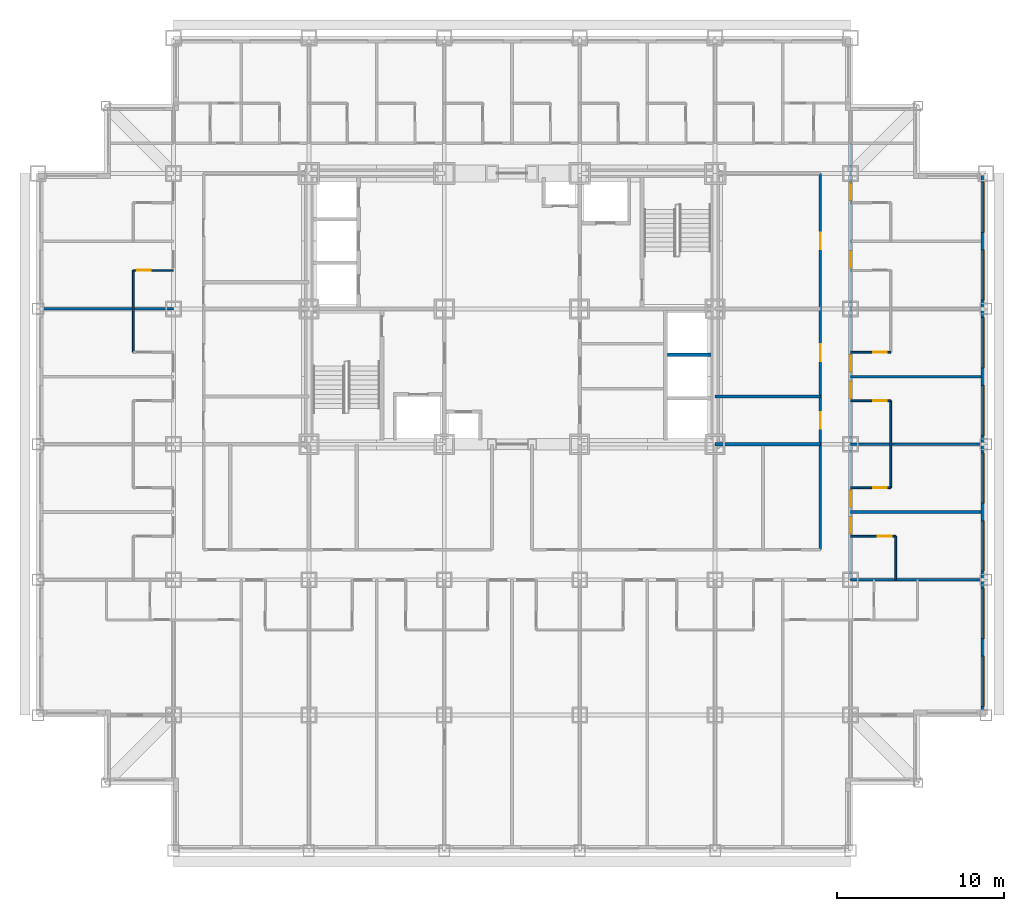
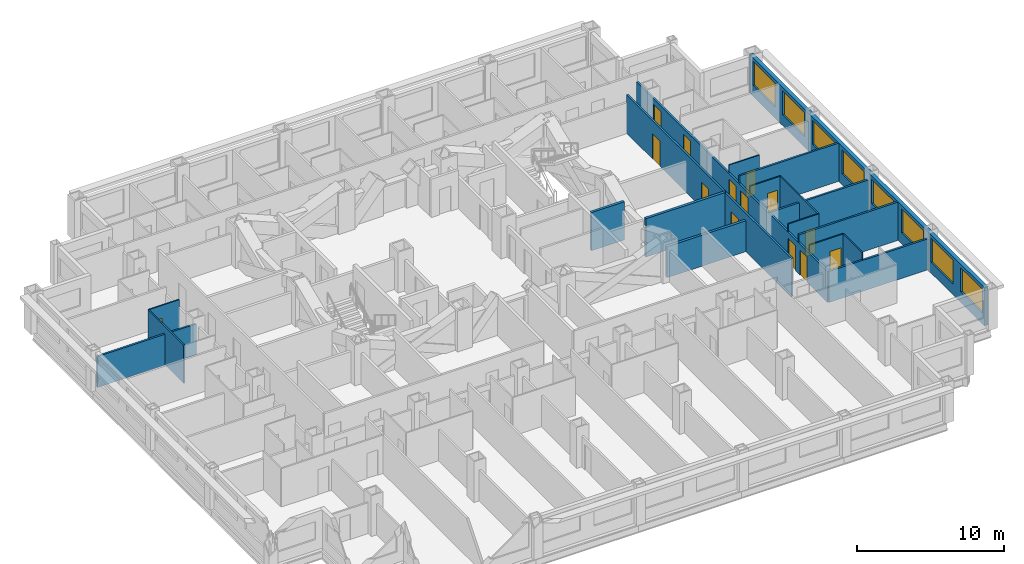
# One storey, part 7 of 12: 19 walls, 14 doors, 8 windows, 22 openings.
"""IFC4 building model written with IfcOpenShell, lengths in metres."""

from ifc_helpers import new_model, si_unit, direction, frame, frame_2d, origin, place, context, subcontext, project, spatial, rectangle, extrude, material, layer, layer_set, type_object, element, fill, save


model = new_model("IFC4")

# Units and contexts
model_context = context("Model", 3, precision=1e-05, world=origin(), true_north=direction((0.0, 1.0)))
body_context = subcontext(model_context, "Body", "Model", "MODEL_VIEW")
ifc_project = project(units=[si_unit("LENGTHUNIT", "METRE"), si_unit("AREAUNIT", "SQUARE_METRE"), si_unit("VOLUMEUNIT", "CUBIC_METRE"), si_unit("PLANEANGLEUNIT", "RADIAN"), si_unit("MASSUNIT", "GRAM", prefix="KILO")], contexts=[model_context])

# Site, building, storey
site_placement = place(None, origin())
site = spatial("IfcSite", under=ifc_project, at=site_placement, CompositionType="ELEMENT")
building_placement = place(site_placement, origin())
building = spatial("IfcBuilding", under=site, at=building_placement, Name="Kopane Lantern Tower", CompositionType="ELEMENT")
storey_placement = place(building_placement, frame((0.0, 0.0, 43.199951171875)))
storey = spatial("IfcBuildingStorey", under=building, at=storey_placement, Name="L09", CompositionType="ELEMENT", Elevation=43.199951171875)

# Wall
ifc_material_1 = material(Name="Moisture-resistant board on steel studs", Category="steel")
ifc_layer_1 = layer(ifc_material_1, 0.10009765625)
ifc_layer_set_1 = layer_set([ifc_layer_1], Name="BATHROOM WALL 100")
wall_type_1 = type_object("IfcWallType", Name="BATHROOM WALL 100", PredefinedType="PARTITIONING", material=ifc_layer_set_1)
wall_1_placement = place(storey_placement, frame((5.699951171875, 29.800048828125, 0.0), z_axis=(0.0, 0.0, 1.0), x_axis=(0.0, 1.0, 0.0)))
element("IfcWall", 1, at=wall_1_placement, inside=storey, type_object=wall_type_1, Name="Bathroom Wall 100 L09", PredefinedType="PARTITIONING", context=body_context, shape_type="SweptSolid", body=[
    extrude(rectangle(XDim=4.89990234375, YDim=0.10009765625, at=frame_2d((2.449951171875, 0.0))), origin(), (0.0, 0.0, 1.0), 3.18994140625),
])

# Wall, opening, door
wall_2_placement = place(storey_placement, frame((8.10009765625, 34.699951171875, 0.0), z_axis=(0.0, 0.0, 1.0), x_axis=(-1.0, 0.0, 0.0)))
wall_2 = element("IfcWall", 2, at=wall_2_placement, inside=storey, type_object=wall_type_1, Name="Bathroom Wall 100 L09", PredefinedType="PARTITIONING", context=body_context, shape_type="SweptSolid", body=[
    extrude(rectangle(XDim=2.400146484375, YDim=0.10009765625, at=frame_2d((1.2001953125, 0.0))), origin(), (0.0, 0.0, 1.0), 3.18994140625),
])
opening_1_placement = place(wall_2_placement, frame((1.35009765625, 0.0, 0.0)))
opening_1 = element("IfcOpeningElement", 3, at=opening_1_placement, cuts=wall_2, Name="Opening L09-057", PredefinedType="OPENING", context=body_context, shape_type="SweptSolid", body=[
    extrude(rectangle(XDim=0.800048828125, YDim=2.10009765625, at=frame_2d((0.39990234375, 1.050048828125))), frame((0.0, 0.06005859375, 0.0), z_axis=(0.0, -1.0, 0.0), x_axis=(1.0, 0.0, 0.0)), (0.0, 0.0, 1.0), 0.1201171875),
])
ifc_material_2 = material(Name="Timber door set", Category="wood")
door_type_1 = type_object("IfcDoorType", Name="DOOR D2 800x2100", OperationType="SINGLE_SWING_LEFT", PredefinedType="DOOR", material=ifc_material_2)
door_1_placement = place(opening_1_placement, origin())
door_1 = element("IfcDoor", 4, at=door_1_placement, inside=storey, type_object=door_type_1, Name="Door L09-057", OperationType="SINGLE_SWING_RIGHT", OverallHeight=2.10009765625, OverallWidth=0.800048828125, PredefinedType="DOOR", context=body_context, shape_type="SweptSolid", body=[
    extrude(rectangle(XDim=0.800048828125, YDim=2.10009765625, at=frame_2d((0.39990234375, 1.050048828125))), frame((0.0, 0.02490234375, 0.0), z_axis=(0.0, -1.0, 0.0), x_axis=(1.0, 0.0, 0.0)), (0.0, 0.0, 1.0), 0.050048828125),
])
fill(opening_1, door_1)

# Wall
wall_3_placement = place(storey_placement, frame((51.300048828125, 16.199951171875, 0.0), z_axis=(0.0, 0.0, 1.0), x_axis=(0.0, 1.0, 0.0)))
element("IfcWall", 5, at=wall_3_placement, inside=storey, type_object=wall_type_1, Name="Bathroom Wall 100 L09", PredefinedType="PARTITIONING", context=body_context, shape_type="SweptSolid", body=[
    extrude(rectangle(XDim=2.60009765625, YDim=0.10009765625, at=frame_2d((1.300048828125, 0.0))), origin(), (0.0, 0.0, 1.0), 3.18994140625),
])

# Wall, opening, door
wall_4_placement = place(storey_placement, frame((48.60009765625, 18.800048828125, 0.0), z_axis=(0.0, 0.0, 1.0), x_axis=(1.0, 0.0, 0.0)))
wall_4 = element("IfcWall", 6, at=wall_4_placement, inside=storey, type_object=wall_type_1, Name="Bathroom Wall 100 L09", PredefinedType="PARTITIONING", context=body_context, shape_type="SweptSolid", body=[
    extrude(rectangle(XDim=2.699951171875, YDim=0.10009765625, at=frame_2d((1.35009765625, 0.0))), origin(), (0.0, 0.0, 1.0), 3.18994140625),
])
opening_2_placement = place(wall_4_placement, frame((1.625, 0.0, 0.0)))
opening_2 = element("IfcOpeningElement", 7, at=opening_2_placement, cuts=wall_4, Name="Opening L09-061", PredefinedType="OPENING", context=body_context, shape_type="SweptSolid", body=[
    extrude(rectangle(XDim=0.85009765625, YDim=2.10009765625, at=frame_2d((0.425048828125, 1.050048828125))), frame((0.0, 0.06005859375, 0.0), z_axis=(0.0, -1.0, 0.0), x_axis=(1.0, 0.0, 0.0)), (0.0, 0.0, 1.0), 0.1201171875),
])
ifc_material_3 = material(Name="Timber door set", Category="wood")
door_type_2 = type_object("IfcDoorType", Name="DOOR D4 850x2100", OperationType="SINGLE_SWING_LEFT", PredefinedType="DOOR", material=ifc_material_3)
door_2_placement = place(opening_2_placement, origin())
door_2 = element("IfcDoor", 8, at=door_2_placement, inside=storey, type_object=door_type_2, Name="Door L09-061", OperationType="SINGLE_SWING_LEFT", OverallHeight=2.10009765625, OverallWidth=0.85009765625, PredefinedType="DOOR", context=body_context, shape_type="SweptSolid", body=[
    extrude(rectangle(XDim=0.85009765625, YDim=2.10009765625, at=frame_2d((0.425048828125, 1.050048828125))), frame((0.0, 0.02490234375, 0.0), z_axis=(0.0, -1.0, 0.0), x_axis=(1.0, 0.0, 0.0)), (0.0, 0.0, 1.0), 0.050048828125),
])
fill(opening_2, door_2)

# Wall
wall_5_placement = place(storey_placement, frame((51.0, 21.699951171875, 0.0), z_axis=(0.0, 0.0, 1.0), x_axis=(0.0, 1.0, 0.0)))
element("IfcWall", 9, at=wall_5_placement, inside=storey, type_object=wall_type_1, Name="Bathroom Wall 100 L09", PredefinedType="PARTITIONING", context=body_context, shape_type="SweptSolid", body=[
    extrude(rectangle(XDim=5.199951171875, YDim=0.10009765625, at=frame_2d((2.60009765625, 0.0))), origin(), (0.0, 0.0, 1.0), 3.18994140625),
])

# Wall, opening, door
wall_6_placement = place(storey_placement, frame((48.60009765625, 21.699951171875, 0.0), z_axis=(0.0, 0.0, 1.0), x_axis=(1.0, 0.0, 0.0)))
wall_6 = element("IfcWall", 10, at=wall_6_placement, inside=storey, type_object=wall_type_1, Name="Bathroom Wall 100 L09", PredefinedType="PARTITIONING", context=body_context, shape_type="SweptSolid", body=[
    extrude(rectangle(XDim=2.39990234375, YDim=0.10009765625, at=frame_2d((1.199951171875, 0.0))), origin(), (0.0, 0.0, 1.0), 3.18994140625),
])
opening_3_placement = place(wall_6_placement, frame((1.35009765625, 0.0, 0.0)))
opening_3 = element("IfcOpeningElement", 11, at=opening_3_placement, cuts=wall_6, Name="Opening L09-063", PredefinedType="OPENING", context=body_context, shape_type="SweptSolid", body=[
    extrude(rectangle(XDim=0.800048828125, YDim=2.10009765625, at=frame_2d((0.39990234375, 1.050048828125))), frame((0.0, 0.06005859375, 0.0), z_axis=(0.0, -1.0, 0.0), x_axis=(1.0, 0.0, 0.0)), (0.0, 0.0, 1.0), 0.1201171875),
])
door_3_placement = place(opening_3_placement, origin())
door_3 = element("IfcDoor", 12, at=door_3_placement, inside=storey, type_object=door_type_1, Name="Door L09-063", OperationType="SINGLE_SWING_RIGHT", OverallHeight=2.10009765625, OverallWidth=0.800048828125, PredefinedType="DOOR", context=body_context, shape_type="SweptSolid", body=[
    extrude(rectangle(XDim=0.800048828125, YDim=2.10009765625, at=frame_2d((0.39990234375, 1.050048828125))), frame((0.0, 0.02490234375, 0.0), z_axis=(0.0, -1.0, 0.0), x_axis=(1.0, 0.0, 0.0)), (0.0, 0.0, 1.0), 0.050048828125),
])
fill(opening_3, door_3)

wall_7_placement = place(storey_placement, frame((48.60009765625, 26.89990234375, 0.0), z_axis=(0.0, 0.0, 1.0), x_axis=(1.0, 0.0, 0.0)))
wall_7 = element("IfcWall", 13, at=wall_7_placement, inside=storey, type_object=wall_type_1, Name="Bathroom Wall 100 L09", PredefinedType="PARTITIONING", context=body_context, shape_type="SweptSolid", body=[
    extrude(rectangle(XDim=2.39990234375, YDim=0.10009765625, at=frame_2d((1.199951171875, 0.0))), origin(), (0.0, 0.0, 1.0), 3.18994140625),
])
opening_4_placement = place(wall_7_placement, frame((1.35009765625, 0.0, 0.0)))
opening_4 = element("IfcOpeningElement", 14, at=opening_4_placement, cuts=wall_7, Name="Opening L09-065", PredefinedType="OPENING", context=body_context, shape_type="SweptSolid", body=[
    extrude(rectangle(XDim=0.800048828125, YDim=2.10009765625, at=frame_2d((0.39990234375, 1.050048828125))), frame((0.0, 0.06005859375, 0.0), z_axis=(0.0, -1.0, 0.0), x_axis=(1.0, 0.0, 0.0)), (0.0, 0.0, 1.0), 0.1201171875),
])
door_4_placement = place(opening_4_placement, origin())
door_4 = element("IfcDoor", 15, at=door_4_placement, inside=storey, type_object=door_type_1, Name="Door L09-065", OperationType="SINGLE_SWING_LEFT", OverallHeight=2.10009765625, OverallWidth=0.800048828125, PredefinedType="DOOR", context=body_context, shape_type="SweptSolid", body=[
    extrude(rectangle(XDim=0.800048828125, YDim=2.10009765625, at=frame_2d((0.39990234375, 1.050048828125))), frame((0.0, 0.02490234375, 0.0), z_axis=(0.0, -1.0, 0.0), x_axis=(1.0, 0.0, 0.0)), (0.0, 0.0, 1.0), 0.050048828125),
])
fill(opening_4, door_4)

wall_8_placement = place(storey_placement, frame((48.60009765625, 29.800048828125, 0.0), z_axis=(0.0, 0.0, 1.0), x_axis=(1.0, 0.0, 0.0)))
wall_8 = element("IfcWall", 16, at=wall_8_placement, inside=storey, type_object=wall_type_1, Name="Bathroom Wall 100 L09", PredefinedType="PARTITIONING", context=body_context, shape_type="SweptSolid", body=[
    extrude(rectangle(XDim=2.39990234375, YDim=0.10009765625, at=frame_2d((1.199951171875, 0.0))), origin(), (0.0, 0.0, 1.0), 3.18994140625),
])
opening_5_placement = place(wall_8_placement, frame((1.35009765625, 0.0, 0.0)))
opening_5 = element("IfcOpeningElement", 17, at=opening_5_placement, cuts=wall_8, Name="Opening L09-067", PredefinedType="OPENING", context=body_context, shape_type="SweptSolid", body=[
    extrude(rectangle(XDim=0.800048828125, YDim=2.10009765625, at=frame_2d((0.39990234375, 1.050048828125))), frame((0.0, 0.06005859375, 0.0), z_axis=(0.0, -1.0, 0.0), x_axis=(1.0, 0.0, 0.0)), (0.0, 0.0, 1.0), 0.1201171875),
])
door_5_placement = place(opening_5_placement, origin())
door_5 = element("IfcDoor", 18, at=door_5_placement, inside=storey, type_object=door_type_1, Name="Door L09-067", OperationType="SINGLE_SWING_RIGHT", OverallHeight=2.10009765625, OverallWidth=0.800048828125, PredefinedType="DOOR", context=body_context, shape_type="SweptSolid", body=[
    extrude(rectangle(XDim=0.800048828125, YDim=2.10009765625, at=frame_2d((0.39990234375, 1.050048828125))), frame((0.0, 0.02490234375, 0.0), z_axis=(0.0, -1.0, 0.0), x_axis=(1.0, 0.0, 0.0)), (0.0, 0.0, 1.0), 0.050048828125),
])
fill(opening_5, door_5)

# Wall, openings, doors
ifc_material_4 = material(Name="Gypsum board on steel studs", Category="steel")
ifc_layer_2 = layer(ifc_material_4, 0.14990234375)
ifc_layer_set_2 = layer_set([ifc_layer_2], Name="CORRIDOR WALL 150 EI 60")
wall_type_2 = type_object("IfcWallType", Name="CORRIDOR WALL 150 EI 60", PredefinedType="PARTITIONING", material=ifc_layer_set_2)
wall_9_placement = place(storey_placement, frame((48.60009765625, 16.199951171875, 0.0), z_axis=(0.0, 0.0, 1.0), x_axis=(0.0, 1.0, 0.0)))
wall_9 = element("IfcWall", 19, at=wall_9_placement, inside=storey, type_object=wall_type_2, Name="Corridor Wall 150 Ei 60 L09", PredefinedType="PARTITIONING", context=body_context, shape_type="SweptSolid", body=[
    extrude(rectangle(XDim=26.10009765625, YDim=0.14990234375, at=frame_2d((13.050048828125, 0.0))), origin(), (0.0, 0.0, 1.0), 2.577880859375),
])
opening_6_placement = place(wall_9_placement, frame((2.75, 0.0, 0.0)))
opening_6 = element("IfcOpeningElement", 20, at=opening_6_placement, cuts=wall_9, Name="Opening L09-062", PredefinedType="OPENING", context=body_context, shape_type="SweptSolid", body=[
    extrude(rectangle(XDim=1.0, YDim=2.10009765625, at=frame_2d((0.5, 1.050048828125))), frame((0.0, 0.0849609375, 0.0), z_axis=(0.0, -1.0, 0.0), x_axis=(1.0, 0.0, 0.0)), (0.0, 0.0, 1.0), 0.169921875),
])
opening_7_placement = place(wall_9_placement, frame((4.35009765625, 0.0, 0.0)))
opening_7 = element("IfcOpeningElement", 21, at=opening_7_placement, cuts=wall_9, Name="Opening L09-064", PredefinedType="OPENING", context=body_context, shape_type="SweptSolid", body=[
    extrude(rectangle(XDim=1.0, YDim=2.10009765625, at=frame_2d((0.5, 1.050048828125))), frame((0.0, 0.0849609375, 0.0), z_axis=(0.0, -1.0, 0.0), x_axis=(1.0, 0.0, 0.0)), (0.0, 0.0, 1.0), 0.169921875),
])
opening_8_placement = place(wall_9_placement, frame((10.85009765625, 0.0, 0.0)))
opening_8 = element("IfcOpeningElement", 22, at=opening_8_placement, cuts=wall_9, Name="Opening L09-066", PredefinedType="OPENING", context=body_context, shape_type="SweptSolid", body=[
    extrude(rectangle(XDim=1.0, YDim=2.10009765625, at=frame_2d((0.5, 1.050048828125))), frame((0.0, 0.0849609375, 0.0), z_axis=(0.0, -1.0, 0.0), x_axis=(1.0, 0.0, 0.0)), (0.0, 0.0, 1.0), 0.169921875),
])
opening_9_placement = place(wall_9_placement, frame((12.449951171875, 0.0, 0.0)))
opening_9 = element("IfcOpeningElement", 23, at=opening_9_placement, cuts=wall_9, Name="Opening L09-068", PredefinedType="OPENING", context=body_context, shape_type="SweptSolid", body=[
    extrude(rectangle(XDim=1.0, YDim=2.10009765625, at=frame_2d((0.5, 1.050048828125))), frame((0.0, 0.0849609375, 0.0), z_axis=(0.0, -1.0, 0.0), x_axis=(1.0, 0.0, 0.0)), (0.0, 0.0, 1.0), 0.169921875),
])
opening_10_placement = place(wall_9_placement, frame((18.64990234375, 0.0, 0.0)))
opening_10 = element("IfcOpeningElement", 24, at=opening_10_placement, cuts=wall_9, Name="Opening L09-070", PredefinedType="OPENING", context=body_context, shape_type="SweptSolid", body=[
    extrude(rectangle(XDim=1.0, YDim=2.10009765625, at=frame_2d((0.5, 1.050048828125))), frame((0.0, 0.0849609375, 0.0), z_axis=(0.0, -1.0, 0.0), x_axis=(1.0, 0.0, 0.0)), (0.0, 0.0, 1.0), 0.169921875),
])
opening_11_placement = place(wall_9_placement, frame((22.699951171875, 0.0, 0.0)))
opening_11 = element("IfcOpeningElement", 25, at=opening_11_placement, cuts=wall_9, Name="Opening L09-072", PredefinedType="OPENING", context=body_context, shape_type="SweptSolid", body=[
    extrude(rectangle(XDim=1.0, YDim=2.10009765625, at=frame_2d((0.5, 1.050048828125))), frame((0.0, 0.0849609375, 0.0), z_axis=(0.0, -1.0, 0.0), x_axis=(1.0, 0.0, 0.0)), (0.0, 0.0, 1.0), 0.169921875),
])
ifc_material_5 = material(Name="Steel door set", Category="steel")
door_type_3 = type_object("IfcDoorType", Name="DOOR D1 1000x2100 FD30S", OperationType="SINGLE_SWING_LEFT", PredefinedType="DOOR", material=ifc_material_5)
door_6_placement = place(opening_6_placement, origin())
door_6 = element("IfcDoor", 26, at=door_6_placement, inside=storey, type_object=door_type_3, Name="Door L09-062", OperationType="SINGLE_SWING_RIGHT", OverallHeight=2.10009765625, OverallWidth=1.0, PredefinedType="DOOR", context=body_context, shape_type="SweptSolid", body=[
    extrude(rectangle(XDim=1.0, YDim=2.10009765625, at=frame_2d((0.5, 1.050048828125))), frame((0.0, 0.02490234375, 0.0), z_axis=(0.0, -1.0, 0.0), x_axis=(1.0, 0.0, 0.0)), (0.0, 0.0, 1.0), 0.050048828125),
])
fill(opening_6, door_6)
door_7_placement = place(opening_7_placement, origin())
door_7 = element("IfcDoor", 27, at=door_7_placement, inside=storey, type_object=door_type_3, Name="Door L09-064", OperationType="SINGLE_SWING_LEFT", OverallHeight=2.10009765625, OverallWidth=1.0, PredefinedType="DOOR", context=body_context, shape_type="SweptSolid", body=[
    extrude(rectangle(XDim=1.0, YDim=2.10009765625, at=frame_2d((0.5, 1.050048828125))), frame((0.0, 0.02490234375, 0.0), z_axis=(0.0, -1.0, 0.0), x_axis=(1.0, 0.0, 0.0)), (0.0, 0.0, 1.0), 0.050048828125),
])
fill(opening_7, door_7)
door_8_placement = place(opening_8_placement, origin())
door_8 = element("IfcDoor", 28, at=door_8_placement, inside=storey, type_object=door_type_3, Name="Door L09-066", OperationType="SINGLE_SWING_RIGHT", OverallHeight=2.10009765625, OverallWidth=1.0, PredefinedType="DOOR", context=body_context, shape_type="SweptSolid", body=[
    extrude(rectangle(XDim=1.0, YDim=2.10009765625, at=frame_2d((0.5, 1.050048828125))), frame((0.0, 0.02490234375, 0.0), z_axis=(0.0, -1.0, 0.0), x_axis=(1.0, 0.0, 0.0)), (0.0, 0.0, 1.0), 0.050048828125),
])
fill(opening_8, door_8)
door_9_placement = place(opening_9_placement, origin())
door_9 = element("IfcDoor", 29, at=door_9_placement, inside=storey, type_object=door_type_3, Name="Door L09-068", OperationType="SINGLE_SWING_LEFT", OverallHeight=2.10009765625, OverallWidth=1.0, PredefinedType="DOOR", context=body_context, shape_type="SweptSolid", body=[
    extrude(rectangle(XDim=1.0, YDim=2.10009765625, at=frame_2d((0.5, 1.050048828125))), frame((0.0, 0.02490234375, 0.0), z_axis=(0.0, -1.0, 0.0), x_axis=(1.0, 0.0, 0.0)), (0.0, 0.0, 1.0), 0.050048828125),
])
fill(opening_9, door_9)
door_10_placement = place(opening_10_placement, origin())
door_10 = element("IfcDoor", 30, at=door_10_placement, inside=storey, type_object=door_type_3, Name="Door L09-070", OperationType="SINGLE_SWING_RIGHT", OverallHeight=2.10009765625, OverallWidth=1.0, PredefinedType="DOOR", context=body_context, shape_type="SweptSolid", body=[
    extrude(rectangle(XDim=1.0, YDim=2.10009765625, at=frame_2d((0.5, 1.050048828125))), frame((0.0, 0.02490234375, 0.0), z_axis=(0.0, -1.0, 0.0), x_axis=(1.0, 0.0, 0.0)), (0.0, 0.0, 1.0), 0.050048828125),
])
fill(opening_10, door_10)
door_11_placement = place(opening_11_placement, origin())
door_11 = element("IfcDoor", 31, at=door_11_placement, inside=storey, type_object=door_type_3, Name="Door L09-072", OperationType="SINGLE_SWING_RIGHT", OverallHeight=2.10009765625, OverallWidth=1.0, PredefinedType="DOOR", context=body_context, shape_type="SweptSolid", body=[
    extrude(rectangle(XDim=1.0, YDim=2.10009765625, at=frame_2d((0.5, 1.050048828125))), frame((0.0, 0.02490234375, 0.0), z_axis=(0.0, -1.0, 0.0), x_axis=(1.0, 0.0, 0.0)), (0.0, 0.0, 1.0), 0.050048828125),
])
fill(opening_11, door_11)

wall_10_placement = place(storey_placement, frame((46.800048828125, 18.0, 0.0), z_axis=(0.0, 0.0, 1.0), x_axis=(0.0, 1.0, 0.0)))
wall_10 = element("IfcWall", 32, at=wall_10_placement, inside=storey, type_object=wall_type_2, Name="Corridor Wall 150 Ei 60 L09", PredefinedType="PARTITIONING", context=body_context, shape_type="SweptSolid", body=[
    extrude(rectangle(XDim=22.5, YDim=0.14990234375, at=frame_2d((11.25, 0.0))), origin(), (0.0, 0.0, 1.0), 3.18994140625),
])
opening_12_placement = place(wall_10_placement, frame((7.228515625, 0.0, 0.0)))
opening_12 = element("IfcOpeningElement", 33, at=opening_12_placement, cuts=wall_10, Name="Opening L09-005", PredefinedType="OPENING", context=body_context, shape_type="SweptSolid", body=[
    extrude(rectangle(XDim=1.0, YDim=2.10009765625, at=frame_2d((0.5, 1.050048828125))), frame((0.0, 0.0849609375, 0.0), z_axis=(0.0, -1.0, 0.0), x_axis=(1.0, 0.0, 0.0)), (0.0, 0.0, 1.0), 0.169921875),
])
opening_13_placement = place(wall_10_placement, frame((11.278564453125, 0.0, 0.0)))
opening_13 = element("IfcOpeningElement", 34, at=opening_13_placement, cuts=wall_10, Name="Opening L09-006", PredefinedType="OPENING", context=body_context, shape_type="SweptSolid", body=[
    extrude(rectangle(XDim=1.0, YDim=2.10009765625, at=frame_2d((0.5, 1.050048828125))), frame((0.0, 0.0849609375, 0.0), z_axis=(0.0, -1.0, 0.0), x_axis=(1.0, 0.0, 0.0)), (0.0, 0.0, 1.0), 0.169921875),
])
opening_14_placement = place(wall_10_placement, frame((17.949951171875, 0.0, 0.0)))
opening_14 = element("IfcOpeningElement", 35, at=opening_14_placement, cuts=wall_10, Name="Opening L09-007", PredefinedType="OPENING", context=body_context, shape_type="SweptSolid", body=[
    extrude(rectangle(XDim=1.0, YDim=2.10009765625, at=frame_2d((0.5, 1.050048828125))), frame((0.0, 0.0849609375, 0.0), z_axis=(0.0, -1.0, 0.0), x_axis=(1.0, 0.0, 0.0)), (0.0, 0.0, 1.0), 0.169921875),
])
ifc_material_6 = material(Name="Steel door set", Category="steel")
door_type_4 = type_object("IfcDoorType", Name="DOOR D5 1000x2100 FD60", OperationType="SINGLE_SWING_LEFT", PredefinedType="DOOR", material=ifc_material_6)
door_12_placement = place(opening_12_placement, origin())
door_12 = element("IfcDoor", 36, at=door_12_placement, inside=storey, type_object=door_type_4, Name="Door L09-005", OperationType="SINGLE_SWING_LEFT", OverallHeight=2.10009765625, OverallWidth=1.0, PredefinedType="DOOR", context=body_context, shape_type="SweptSolid", body=[
    extrude(rectangle(XDim=1.0, YDim=2.10009765625, at=frame_2d((0.5, 1.050048828125))), frame((0.0, 0.02490234375, 0.0), z_axis=(0.0, -1.0, 0.0), x_axis=(1.0, 0.0, 0.0)), (0.0, 0.0, 1.0), 0.050048828125),
])
fill(opening_12, door_12)
door_13_placement = place(opening_13_placement, origin())
door_13 = element("IfcDoor", 37, at=door_13_placement, inside=storey, type_object=door_type_4, Name="Door L09-006", OperationType="SINGLE_SWING_RIGHT", OverallHeight=2.10009765625, OverallWidth=1.0, PredefinedType="DOOR", context=body_context, shape_type="SweptSolid", body=[
    extrude(rectangle(XDim=1.0, YDim=2.10009765625, at=frame_2d((0.5, 1.050048828125))), frame((0.0, 0.02490234375, 0.0), z_axis=(0.0, -1.0, 0.0), x_axis=(1.0, 0.0, 0.0)), (0.0, 0.0, 1.0), 0.050048828125),
])
fill(opening_13, door_13)
door_14_placement = place(opening_14_placement, origin())
door_14 = element("IfcDoor", 38, at=door_14_placement, inside=storey, type_object=door_type_4, Name="Door L09-007", OperationType="SINGLE_SWING_LEFT", OverallHeight=2.10009765625, OverallWidth=1.0, PredefinedType="DOOR", context=body_context, shape_type="SweptSolid", body=[
    extrude(rectangle(XDim=1.0, YDim=2.10009765625, at=frame_2d((0.5, 1.050048828125))), frame((0.0, 0.02490234375, 0.0), z_axis=(0.0, -1.0, 0.0), x_axis=(1.0, 0.0, 0.0)), (0.0, 0.0, 1.0), 0.050048828125),
])
fill(opening_14, door_14)

# Walls
ifc_material_7 = material(Name="Gypsum board on steel studs", Category="steel")
ifc_layer_3 = layer(ifc_material_7, 0.14990234375)
ifc_layer_set_3 = layer_set([ifc_layer_3], Name="DEMISING WALL 150 EI 60")
wall_type_3 = type_object("IfcWallType", Name="DEMISING WALL 150 EI 60", PredefinedType="PARTITIONING", material=ifc_layer_set_3)
wall_11_placement = place(storey_placement, frame((8.10009765625, 32.39990234375, 0.0), z_axis=(0.0, 0.0, 1.0), x_axis=(-1.0, 0.0, 0.0)))
element("IfcWall", 39, at=wall_11_placement, inside=storey, type_object=wall_type_3, Name="Demising Wall 150 Ei 60 L09", PredefinedType="PARTITIONING", context=body_context, shape_type="SweptSolid", body=[
    extrude(rectangle(XDim=7.800048828125, YDim=0.14990234375, at=frame_2d((3.89990234375, 0.0))), origin(), (0.0, 0.0, 1.0), 2.577880859375),
])
wall_12_placement = place(storey_placement, frame((48.60009765625, 20.25, 0.0), z_axis=(0.0, 0.0, 1.0), x_axis=(1.0, 0.0, 0.0)))
element("IfcWall", 40, at=wall_12_placement, inside=storey, type_object=wall_type_3, Name="Demising Wall 150 Ei 60 L09", PredefinedType="PARTITIONING", context=body_context, shape_type="SweptSolid", body=[
    extrude(rectangle(XDim=7.7998046875, YDim=0.14990234375, at=frame_2d((3.89990234375, 0.0))), origin(), (0.0, 0.0, 1.0), 3.18994140625),
])
wall_13_placement = place(storey_placement, frame((48.60009765625, 24.300048828125, 0.0), z_axis=(0.0, 0.0, 1.0), x_axis=(1.0, 0.0, 0.0)))
element("IfcWall", 41, at=wall_13_placement, inside=storey, type_object=wall_type_3, Name="Demising Wall 150 Ei 60 L09", PredefinedType="PARTITIONING", context=body_context, shape_type="SweptSolid", body=[
    extrude(rectangle(XDim=7.7998046875, YDim=0.14990234375, at=frame_2d((3.89990234375, 0.0))), origin(), (0.0, 0.0, 1.0), 2.577880859375),
])
wall_14_placement = place(storey_placement, frame((48.60009765625, 28.35009765625, 0.0), z_axis=(0.0, 0.0, 1.0), x_axis=(1.0, 0.0, 0.0)))
element("IfcWall", 42, at=wall_14_placement, inside=storey, type_object=wall_type_3, Name="Demising Wall 150 Ei 60 L09", PredefinedType="PARTITIONING", context=body_context, shape_type="SweptSolid", body=[
    extrude(rectangle(XDim=7.7998046875, YDim=0.14990234375, at=frame_2d((3.89990234375, 0.0))), origin(), (0.0, 0.0, 1.0), 3.18994140625),
])
wall_15_placement = place(storey_placement, frame((48.60009765625, 16.199951171875, 0.0), z_axis=(0.0, 0.0, 1.0), x_axis=(1.0, 0.0, 0.0)))
element("IfcWall", 43, at=wall_15_placement, inside=storey, type_object=wall_type_3, Name="Demising Wall 150 Ei 60 L09", PredefinedType="PARTITIONING", context=body_context, shape_type="SweptSolid", body=[
    extrude(rectangle(XDim=7.7998046875, YDim=0.14990234375, at=frame_2d((3.89990234375, 0.0))), origin(), (0.0, 0.0, 1.0), 2.577880859375),
])

# Wall, openings, windows
ifc_material_8 = material(Name="Terracotta rainscreen on light steel framing", Category="masonry")
ifc_layer_4 = layer(ifc_material_8, 0.300048828125)
ifc_layer_set_4 = layer_set([ifc_layer_4], Name="EXTERNAL WALL EW1 300 TERRACOTTA")
wall_type_4 = type_object("IfcWallType", Name="EXTERNAL WALL EW1 300 TERRACOTTA", PredefinedType="SOLIDWALL", material=ifc_layer_set_4)
wall_16_placement = place(storey_placement, frame((56.550048828125, 8.39990234375, 0.0), z_axis=(0.0, 0.0, 1.0), x_axis=(0.0, 1.0, 0.0)))
wall_16 = element("IfcWall", 44, at=wall_16_placement, inside=storey, type_object=wall_type_4, Name="External wall E L09", PredefinedType="SOLIDWALL", context=body_context, shape_type="SweptSolid", body=[
    extrude(rectangle(XDim=32.10009765625, YDim=0.300048828125, at=frame_2d((16.050048828125, 0.0))), origin(), (0.0, 0.0, 1.0), 3.18994140625),
])
opening_15_placement = place(wall_16_placement, frame((0.22509765625, 0.0, 0.89990234375)))
opening_15 = element("IfcOpeningElement", 45, at=opening_15_placement, cuts=wall_16, Name="Opening WR300200", PredefinedType="OPENING", context=body_context, shape_type="SweptSolid", body=[
    extrude(rectangle(XDim=3.0, YDim=2.0, at=frame_2d((1.5, 1.0))), frame((0.0, 0.159912109375, 0.0), z_axis=(0.0, -1.0, 0.0), x_axis=(1.0, 0.0, 0.0)), (0.0, 0.0, 1.0), 0.320068359375),
])
opening_16_placement = place(wall_16_placement, frame((4.27490234375, 0.0, 0.89990234375)))
opening_16 = element("IfcOpeningElement", 46, at=opening_16_placement, cuts=wall_16, Name="Opening WR300200", PredefinedType="OPENING", context=body_context, shape_type="SweptSolid", body=[
    extrude(rectangle(XDim=3.0, YDim=2.0, at=frame_2d((1.5, 1.0))), frame((0.0, 0.159912109375, 0.0), z_axis=(0.0, -1.0, 0.0), x_axis=(1.0, 0.0, 0.0)), (0.0, 0.0, 1.0), 0.320068359375),
])
opening_17_placement = place(wall_16_placement, frame((8.324951171875, 0.0, 0.89990234375)))
opening_17 = element("IfcOpeningElement", 47, at=opening_17_placement, cuts=wall_16, Name="Opening WR300200", PredefinedType="OPENING", context=body_context, shape_type="SweptSolid", body=[
    extrude(rectangle(XDim=3.0, YDim=2.0, at=frame_2d((1.5, 1.0))), frame((0.0, 0.159912109375, 0.0), z_axis=(0.0, -1.0, 0.0), x_axis=(1.0, 0.0, 0.0)), (0.0, 0.0, 1.0), 0.320068359375),
])
opening_18_placement = place(wall_16_placement, frame((12.375, 0.0, 0.89990234375)))
opening_18 = element("IfcOpeningElement", 48, at=opening_18_placement, cuts=wall_16, Name="Opening WR300200", PredefinedType="OPENING", context=body_context, shape_type="SweptSolid", body=[
    extrude(rectangle(XDim=3.0, YDim=2.0, at=frame_2d((1.5, 1.0))), frame((0.0, 0.159912109375, 0.0), z_axis=(0.0, -1.0, 0.0), x_axis=(1.0, 0.0, 0.0)), (0.0, 0.0, 1.0), 0.320068359375),
])
opening_19_placement = place(wall_16_placement, frame((16.425048828125, 0.0, 0.89990234375)))
opening_19 = element("IfcOpeningElement", 49, at=opening_19_placement, cuts=wall_16, Name="Opening WR300200", PredefinedType="OPENING", context=body_context, shape_type="SweptSolid", body=[
    extrude(rectangle(XDim=3.0, YDim=2.0, at=frame_2d((1.5, 1.0))), frame((0.0, 0.159912109375, 0.0), z_axis=(0.0, -1.0, 0.0), x_axis=(1.0, 0.0, 0.0)), (0.0, 0.0, 1.0), 0.320068359375),
])
opening_20_placement = place(wall_16_placement, frame((20.47509765625, 0.0, 0.89990234375)))
opening_20 = element("IfcOpeningElement", 50, at=opening_20_placement, cuts=wall_16, Name="Opening WR300200", PredefinedType="OPENING", context=body_context, shape_type="SweptSolid", body=[
    extrude(rectangle(XDim=3.0, YDim=2.0, at=frame_2d((1.5, 1.0))), frame((0.0, 0.159912109375, 0.0), z_axis=(0.0, -1.0, 0.0), x_axis=(1.0, 0.0, 0.0)), (0.0, 0.0, 1.0), 0.320068359375),
])
opening_21_placement = place(wall_16_placement, frame((24.52490234375, 0.0, 0.89990234375)))
opening_21 = element("IfcOpeningElement", 51, at=opening_21_placement, cuts=wall_16, Name="Opening WR300200", PredefinedType="OPENING", context=body_context, shape_type="SweptSolid", body=[
    extrude(rectangle(XDim=3.0, YDim=2.0, at=frame_2d((1.5, 1.0))), frame((0.0, 0.159912109375, 0.0), z_axis=(0.0, -1.0, 0.0), x_axis=(1.0, 0.0, 0.0)), (0.0, 0.0, 1.0), 0.320068359375),
])
opening_22_placement = place(wall_16_placement, frame((28.574951171875, 0.0, 0.89990234375)))
opening_22 = element("IfcOpeningElement", 52, at=opening_22_placement, cuts=wall_16, Name="Opening WR300200", PredefinedType="OPENING", context=body_context, shape_type="SweptSolid", body=[
    extrude(rectangle(XDim=3.0, YDim=2.0, at=frame_2d((1.5, 1.0))), frame((0.0, 0.159912109375, 0.0), z_axis=(0.0, -1.0, 0.0), x_axis=(1.0, 0.0, 0.0)), (0.0, 0.0, 1.0), 0.320068359375),
])
ifc_material_9 = material(Name="Aluminium and clear glass", Category="aluminium")
window_type = type_object("IfcWindowType", Name="RIBBON WINDOW WR300200 3000x2000", PartitioningType="SINGLE_PANEL", PredefinedType="WINDOW", material=ifc_material_9)
window_1_placement = place(opening_15_placement, origin())
window_1 = element("IfcWindow", 53, at=window_1_placement, inside=storey, type_object=window_type, Name="Window E L09", OverallHeight=2.0, OverallWidth=3.0, PartitioningType="SINGLE_PANEL", PredefinedType="WINDOW", context=body_context, shape_type="SweptSolid", body=[
    extrude(rectangle(XDim=3.0, YDim=2.0, at=frame_2d((1.5, 1.0))), frame((0.0, 0.030029296875, 0.0), z_axis=(0.0, -1.0, 0.0), x_axis=(1.0, 0.0, 0.0)), (0.0, 0.0, 1.0), 0.06005859375),
])
fill(opening_15, window_1)
window_2_placement = place(opening_16_placement, origin())
window_2 = element("IfcWindow", 54, at=window_2_placement, inside=storey, type_object=window_type, Name="Window E L09", OverallHeight=2.0, OverallWidth=3.0, PartitioningType="SINGLE_PANEL", PredefinedType="WINDOW", context=body_context, shape_type="SweptSolid", body=[
    extrude(rectangle(XDim=3.0, YDim=2.0, at=frame_2d((1.5, 1.0))), frame((0.0, 0.030029296875, 0.0), z_axis=(0.0, -1.0, 0.0), x_axis=(1.0, 0.0, 0.0)), (0.0, 0.0, 1.0), 0.06005859375),
])
fill(opening_16, window_2)
window_3_placement = place(opening_17_placement, origin())
window_3 = element("IfcWindow", 55, at=window_3_placement, inside=storey, type_object=window_type, Name="Window E L09", OverallHeight=2.0, OverallWidth=3.0, PartitioningType="SINGLE_PANEL", PredefinedType="WINDOW", context=body_context, shape_type="SweptSolid", body=[
    extrude(rectangle(XDim=3.0, YDim=2.0, at=frame_2d((1.5, 1.0))), frame((0.0, 0.030029296875, 0.0), z_axis=(0.0, -1.0, 0.0), x_axis=(1.0, 0.0, 0.0)), (0.0, 0.0, 1.0), 0.06005859375),
])
fill(opening_17, window_3)
window_4_placement = place(opening_18_placement, origin())
window_4 = element("IfcWindow", 56, at=window_4_placement, inside=storey, type_object=window_type, Name="Window E L09", OverallHeight=2.0, OverallWidth=3.0, PartitioningType="SINGLE_PANEL", PredefinedType="WINDOW", context=body_context, shape_type="SweptSolid", body=[
    extrude(rectangle(XDim=3.0, YDim=2.0, at=frame_2d((1.5, 1.0))), frame((0.0, 0.030029296875, 0.0), z_axis=(0.0, -1.0, 0.0), x_axis=(1.0, 0.0, 0.0)), (0.0, 0.0, 1.0), 0.06005859375),
])
fill(opening_18, window_4)
window_5_placement = place(opening_19_placement, origin())
window_5 = element("IfcWindow", 57, at=window_5_placement, inside=storey, type_object=window_type, Name="Window E L09", OverallHeight=2.0, OverallWidth=3.0, PartitioningType="SINGLE_PANEL", PredefinedType="WINDOW", context=body_context, shape_type="SweptSolid", body=[
    extrude(rectangle(XDim=3.0, YDim=2.0, at=frame_2d((1.5, 1.0))), frame((0.0, 0.030029296875, 0.0), z_axis=(0.0, -1.0, 0.0), x_axis=(1.0, 0.0, 0.0)), (0.0, 0.0, 1.0), 0.06005859375),
])
fill(opening_19, window_5)
window_6_placement = place(opening_20_placement, origin())
window_6 = element("IfcWindow", 58, at=window_6_placement, inside=storey, type_object=window_type, Name="Window E L09", OverallHeight=2.0, OverallWidth=3.0, PartitioningType="SINGLE_PANEL", PredefinedType="WINDOW", context=body_context, shape_type="SweptSolid", body=[
    extrude(rectangle(XDim=3.0, YDim=2.0, at=frame_2d((1.5, 1.0))), frame((0.0, 0.030029296875, 0.0), z_axis=(0.0, -1.0, 0.0), x_axis=(1.0, 0.0, 0.0)), (0.0, 0.0, 1.0), 0.06005859375),
])
fill(opening_20, window_6)
window_7_placement = place(opening_21_placement, origin())
window_7 = element("IfcWindow", 59, at=window_7_placement, inside=storey, type_object=window_type, Name="Window E L09", OverallHeight=2.0, OverallWidth=3.0, PartitioningType="SINGLE_PANEL", PredefinedType="WINDOW", context=body_context, shape_type="SweptSolid", body=[
    extrude(rectangle(XDim=3.0, YDim=2.0, at=frame_2d((1.5, 1.0))), frame((0.0, 0.030029296875, 0.0), z_axis=(0.0, -1.0, 0.0), x_axis=(1.0, 0.0, 0.0)), (0.0, 0.0, 1.0), 0.06005859375),
])
fill(opening_21, window_7)
window_8_placement = place(opening_22_placement, origin())
window_8 = element("IfcWindow", 60, at=window_8_placement, inside=storey, type_object=window_type, Name="Window E L09", OverallHeight=2.0, OverallWidth=3.0, PartitioningType="SINGLE_PANEL", PredefinedType="WINDOW", context=body_context, shape_type="SweptSolid", body=[
    extrude(rectangle(XDim=3.0, YDim=2.0, at=frame_2d((1.5, 1.0))), frame((0.0, 0.030029296875, 0.0), z_axis=(0.0, -1.0, 0.0), x_axis=(1.0, 0.0, 0.0)), (0.0, 0.0, 1.0), 0.06005859375),
])
fill(opening_22, window_8)

# Walls
ifc_material_10 = material(Name="Concrete masonry", Category="masonry")
ifc_layer_5 = layer(ifc_material_10, 0.199951171875)
ifc_layer_set_5 = layer_set([ifc_layer_5], Name="PLANT ROOM WALL 200 EI 120")
wall_type_5 = type_object("IfcWallType", Name="PLANT ROOM WALL 200 EI 120", PredefinedType="SOLIDWALL", material=ifc_layer_set_5)
wall_17_placement = place(storey_placement, frame((46.800048828125, 27.156982421875, 0.0), z_axis=(0.0, 0.0, 1.0), x_axis=(-1.0, 0.0, 0.0)))
element("IfcWall", 61, at=wall_17_placement, inside=storey, type_object=wall_type_5, Name="Plant Room Wall 200 Ei 120 L09", PredefinedType="SOLIDWALL", context=body_context, shape_type="SweptSolid", body=[
    extrude(rectangle(XDim=6.300048828125, YDim=0.199951171875, at=frame_2d((3.14990234375, 0.0))), origin(), (0.0, 0.0, 1.0), 3.18994140625),
])
wall_18_placement = place(storey_placement, frame((40.5, 24.300048828125, 0.0), z_axis=(0.0, 0.0, 1.0), x_axis=(1.0, 0.0, 0.0)))
element("IfcWall", 62, at=wall_18_placement, inside=storey, type_object=wall_type_5, Name="Plant Room Wall 200 Ei 120 L09", PredefinedType="SOLIDWALL", context=body_context, shape_type="SweptSolid", body=[
    extrude(rectangle(XDim=6.300048828125, YDim=0.199951171875, at=frame_2d((3.14990234375, 0.0))), origin(), (0.0, 0.0, 1.0), 2.577880859375),
])
ifc_material_11 = material(Name="Gypsum shaft wall EI 120", Category="gypsum")
ifc_layer_6 = layer(ifc_material_11, 0.199951171875)
ifc_layer_set_6 = layer_set([ifc_layer_6], Name="SHAFT WALL 200 EI 120")
wall_type_6 = type_object("IfcWallType", Name="SHAFT WALL 200 EI 120", PredefinedType="SOLIDWALL", material=ifc_layer_set_6)
wall_19_placement = place(storey_placement, frame((37.64990234375, 29.64990234375, 0.0), z_axis=(0.0, 0.0, 1.0), x_axis=(1.0, 0.0, 0.0)))
element("IfcWall", 63, at=wall_19_placement, inside=storey, type_object=wall_type_6, Name="Core shaft wall L09 YLR23", PredefinedType="SOLIDWALL", context=body_context, shape_type="SweptSolid", body=[
    extrude(rectangle(XDim=2.60009765625, YDim=0.199951171875, at=frame_2d((1.300048828125, 0.0))), origin(), (0.0, 0.0, 1.0), 3.18994140625),
])

save(model, "model.ifc")
